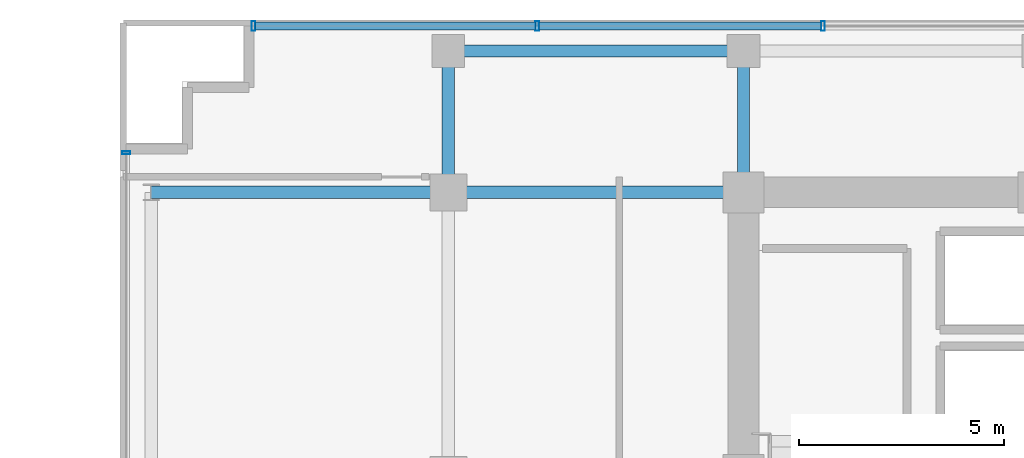
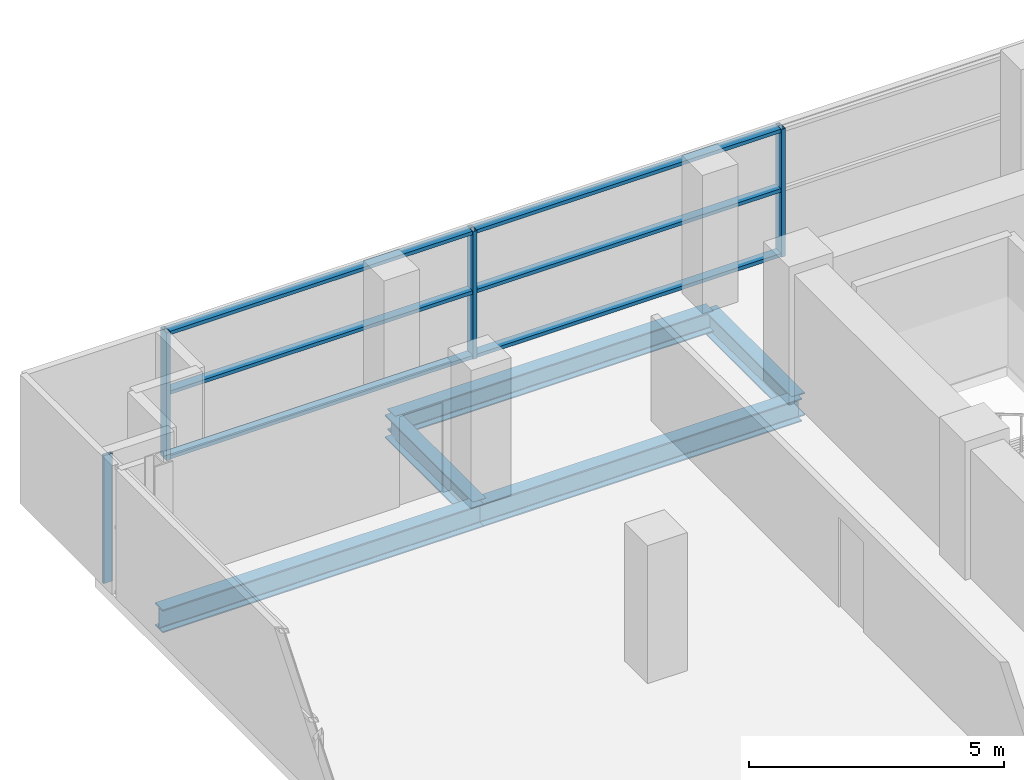
# One storey, part 15 of 27: 10 members, 5 beams, 2 elements without a shape of their own.
"""IFC4 building model written with IfcOpenShell, lengths in metres."""

from ifc_helpers import new_model, si_unit, direction, frame, origin, origin_2d, place, context, subcontext, project, spatial, hollow_rectangle, i_section, extrude, source, transform, mapped, material, layer, layer_set, material_profile, profile_set, type_object, element, aggregate, save


model = new_model("IFC4")

# Units and contexts
model_context = context("Model", 3, precision=1e-05, world=origin(), true_north=direction((0.0, 1.0)))
body_context = subcontext(model_context, "Body", "Model", "MODEL_VIEW")
ifc_project = project(units=[si_unit("LENGTHUNIT", "METRE"), si_unit("AREAUNIT", "SQUARE_METRE"), si_unit("VOLUMEUNIT", "CUBIC_METRE"), si_unit("PLANEANGLEUNIT", "RADIAN"), si_unit("MASSUNIT", "GRAM", prefix="KILO")], contexts=[model_context])

# Site, building, storey
site_placement = place(None, origin())
site = spatial("IfcSite", under=ifc_project, at=site_placement, CompositionType="ELEMENT")
building_placement = place(site_placement, origin())
building = spatial("IfcBuilding", under=site, at=building_placement, Name="Zarnakvel Exchange Tower", CompositionType="ELEMENT")
storey_placement = place(building_placement, frame((0.0, 0.0, 96.699951171875)))
storey = spatial("IfcBuildingStorey", under=building, at=storey_placement, Name="L26", CompositionType="ELEMENT", Elevation=96.699951171875)

# Beams
ifc_material_1 = material(Name="Steel S355", Category="steel")
ifc_material_profile_1 = material_profile(ifc_material_1, i_section(OverallWidth=0.300048828125, OverallDepth=0.550048828125, WebThickness=0.014892578125, FlangeThickness=0.029052734375, FilletRadius=0.027099609375, at=origin_2d()))
ifc_profile_set_1 = profile_set([ifc_material_profile_1], Name="Steel S355")
beam_type_1 = type_object("IfcBeamType", Name="G-05", PredefinedType="BEAM", material=ifc_profile_set_1)
beam_1_placement = place(storey_placement, frame((-28.85009765625, 13.5, -0.5), z_axis=(1.0, 0.0, 0.0), x_axis=(0.0, 1.0, 0.0)))
element("IfcBeam", 1, at=beam_1_placement, inside=storey, type_object=beam_type_1, Name="L26 Tower E-W Frame Beam", PredefinedType="BEAM", context=body_context, shape_type="SweptSolid", body=[
    extrude(i_section(OverallWidth=0.300048828125, OverallDepth=0.550048828125, WebThickness=0.014892578125, FlangeThickness=0.029052734375, FilletRadius=0.027099609375, at=origin_2d()), origin(), (0.0, 0.0, 1.0), 7.25),
])
beam_2_placement = place(storey_placement, frame((-21.60009765625, 13.5, -0.5), z_axis=(1.0, 0.0, 0.0), x_axis=(0.0, 1.0, 0.0)))
element("IfcBeam", 2, at=beam_2_placement, inside=storey, type_object=beam_type_1, Name="L26 Tower E-W Frame Beam", PredefinedType="BEAM", context=body_context, shape_type="SweptSolid", body=[
    extrude(i_section(OverallWidth=0.300048828125, OverallDepth=0.550048828125, WebThickness=0.014892578125, FlangeThickness=0.029052734375, FilletRadius=0.027099609375, at=origin_2d()), origin(), (0.0, 0.0, 1.0), 7.2001953125),
])
for number, where, z_axis, x_axis, name in (
    (3, (-21.60009765625, 13.5, -0.5), (0.0, 1.0, 0.0), (-1.0, 0.0, 0.0), "L26 Tower N-S Frame Beam"),
    (4, (-14.39990234375, 13.5, -0.5), (0.0, 1.0, 0.0), (-1.0, 0.0, 0.0), "L26 Tower N-S Frame Beam"),
):
    element("IfcBeam", number, at=place(storey_placement, frame(where, z_axis=z_axis, x_axis=x_axis)), inside=storey, type_object=beam_type_1, Name=name, PredefinedType="BEAM", context=body_context, shape_type="SweptSolid", body=[
        extrude(i_section(OverallWidth=0.300048828125, OverallDepth=0.550048828125, WebThickness=0.014892578125, FlangeThickness=0.029052734375, FilletRadius=0.027099609375, at=origin_2d()), origin(), (0.0, 0.0, 1.0), 3.449951171875),
    ])
ifc_material_profile_2 = material_profile(ifc_material_1, i_section(OverallWidth=0.300048828125, OverallDepth=0.5, WebThickness=0.014404296875, FlangeThickness=0.028076171875, FilletRadius=0.027099609375, at=origin_2d()))
ifc_profile_set_2 = profile_set([ifc_material_profile_2], Name="Steel S355")
beam_type_2 = type_object("IfcBeamType", Name="SP-02", PredefinedType="SPANDREL", material=ifc_profile_set_2)
beam_3_placement = place(storey_placement, frame((-21.60009765625, 16.949951171875, -0.474853515625), z_axis=(1.0, 0.0, 0.0), x_axis=(0.0, 1.0, 0.0)))
element("IfcBeam", 5, at=beam_3_placement, inside=storey, type_object=beam_type_2, Name="L26 Tower E-W Frame Beam", PredefinedType="SPANDREL", context=body_context, shape_type="SweptSolid", body=[
    extrude(i_section(OverallWidth=0.300048828125, OverallDepth=0.5, WebThickness=0.014404296875, FlangeThickness=0.028076171875, FilletRadius=0.027099609375, at=origin_2d()), origin(), (0.0, 0.0, 1.0), 7.2001953125),
])

# Curtain wall, members
ifc_material_2 = material(Name="Architectural Bronze Anodised Aluminium", Category="aluminium")
ifc_layer_1 = layer(ifc_material_2, 0.239990234375)
ifc_layer_set_1 = layer_set([ifc_layer_1], Name="Architectural Bronze Anodised Aluminium")
curtain_wall_type_1 = type_object("IfcCurtainWallType", Name="CW-02", PredefinedType="NOTDEFINED", material=ifc_layer_set_1)
curtain_wall_1_placement = place(storey_placement, origin())
curtain_wall_1 = element("IfcCurtainWall", 6, at=curtain_wall_1_placement, inside=storey, type_object=curtain_wall_type_1, Name="L26 Curtain Wall CW-L26-N1 (CW-02)", PredefinedType="NOTDEFINED")
ifc_material_profile_3 = material_profile(ifc_material_2, hollow_rectangle(XDim=0.239990234375, YDim=0.090087890625, WallThickness=0.006103515625, at=origin_2d()))
ifc_profile_set_3 = profile_set([ifc_material_profile_3], Name="Architectural Bronze Anodised Aluminium")
member_type_1 = type_object("IfcMemberType", Name="CWM-02", PredefinedType="MULLION", material=ifc_profile_set_3)
shared_shape_1 = source(origin(), body_context, "Body", "SweptSolid", [
    extrude(hollow_rectangle(XDim=0.239990234375, YDim=0.090087890625, WallThickness=0.006103515625, at=origin_2d()), origin(), (0.0, 0.0, 1.0), 3.054931640625),
])
member_1_placement = place(storey_placement, frame((-26.35498046875, 17.56005859375, 0.0), z_axis=(0.0, 0.0, 1.0), x_axis=(0.0, 1.0, 0.0)))
member_1 = element("IfcMember", 7, at=member_1_placement, type_object=member_type_1, Name="CW-02 mullion 1", PredefinedType="MULLION", context=body_context, shape_type="MappedRepresentation", body=[
    mapped(shared_shape_1, transform((0.0, 0.0, 0.0), x_axis=(1.0, 0.0, 0.0), y_axis=(0.0, 1.0, 0.0), z_axis=(0.0, 0.0, 1.0), scale=1.0)),
])
member_2_placement = place(storey_placement, frame((-19.428466796875, 17.56005859375, 0.0), z_axis=(0.0, 0.0, 1.0), x_axis=(0.0, 1.0, 0.0)))
member_2 = element("IfcMember", 8, at=member_2_placement, type_object=member_type_1, Name="CW-02 mullion 2", PredefinedType="MULLION", context=body_context, shape_type="MappedRepresentation", body=[
    mapped(shared_shape_1, transform((0.0, 0.0, 0.0), x_axis=(1.0, 0.0, 0.0), y_axis=(0.0, 1.0, 0.0), z_axis=(0.0, 0.0, 1.0), scale=1.0)),
])
member_3_placement = place(storey_placement, frame((-12.45703125, 17.56005859375, 0.0), z_axis=(0.0, 0.0, 1.0), x_axis=(0.0, 1.0, 0.0)))
member_3 = element("IfcMember", 9, at=member_3_placement, type_object=member_type_1, Name="CW-02 mullion 3", PredefinedType="MULLION", context=body_context, shape_type="MappedRepresentation", body=[
    mapped(shared_shape_1, transform((0.0, 0.0, 0.0), x_axis=(1.0, 0.0, 0.0), y_axis=(0.0, 1.0, 0.0), z_axis=(0.0, 0.0, 1.0), scale=1.0)),
])

# Curtain wall, member
ifc_layer_2 = layer(ifc_material_2, 0.199951171875)
ifc_layer_set_2 = layer_set([ifc_layer_2], Name="Architectural Bronze Anodised Aluminium")
curtain_wall_type_2 = type_object("IfcCurtainWallType", Name="CW-04", PredefinedType="NOTDEFINED", material=ifc_layer_set_2)
curtain_wall_2_placement = place(storey_placement, origin())
curtain_wall_2 = element("IfcCurtainWall", 10, at=curtain_wall_2_placement, inside=storey, type_object=curtain_wall_type_2, Name="L26 Curtain Wall CW-L26-WN (CW-04)", PredefinedType="NOTDEFINED")
ifc_material_profile_4 = material_profile(ifc_material_2, hollow_rectangle(XDim=0.199951171875, YDim=0.074951171875, WallThickness=0.0048828125, at=origin_2d()))
ifc_profile_set_4 = profile_set([ifc_material_profile_4], Name="Architectural Bronze Anodised Aluminium")
member_type_2 = type_object("IfcMemberType", Name="CWM-04", PredefinedType="MULLION", material=ifc_profile_set_4)
shared_shape_2 = source(origin(), body_context, "Body", "SweptSolid", [
    extrude(hollow_rectangle(XDim=0.199951171875, YDim=0.074951171875, WallThickness=0.0048828125, at=origin_2d()), origin(), (0.0, 0.0, 1.0), 3.054931640625),
])
member_4_placement = place(storey_placement, frame((-29.4599609375, 14.46240234375, 0.0), z_axis=(0.0, 0.0, 1.0), x_axis=(-1.0, 0.0, 0.0)))
member_4 = element("IfcMember", 11, at=member_4_placement, type_object=member_type_2, Name="CW-04 mullion 3", PredefinedType="MULLION", context=body_context, shape_type="MappedRepresentation", body=[
    mapped(shared_shape_2, transform((0.0, 0.0, 0.0), x_axis=(1.0, 0.0, 0.0), y_axis=(0.0, 1.0, 0.0), z_axis=(0.0, 0.0, 1.0), scale=1.0)),
])
aggregate(curtain_wall_2, [member_4])

# Member
ifc_material_profile_5 = material_profile(ifc_material_2, hollow_rectangle(XDim=0.199951171875, YDim=0.0849609375, WallThickness=0.0048828125, at=origin_2d()))
ifc_profile_set_5 = profile_set([ifc_material_profile_5], Name="Architectural Bronze Anodised Aluminium")
member_type_3 = type_object("IfcMemberType", Name="CWT-02", PredefinedType="USERDEFINED", material=ifc_profile_set_5)
shared_shape_3 = source(origin(), body_context, "Body", "SweptSolid", [
    extrude(hollow_rectangle(XDim=0.199951171875, YDim=0.0849609375, WallThickness=0.0048828125, at=origin_2d()), origin(), (0.0, 0.0, 1.0), 6.83642578125),
])
member_5_placement = place(storey_placement, frame((-26.31005859375, 17.56005859375, 0.04248046875), z_axis=(1.0, 0.0, 0.0), x_axis=(0.0, 1.0, 0.0)))
member_5 = element("IfcMember", 12, at=member_5_placement, type_object=member_type_3, Name="CW-02 transom 1.1", ObjectType="TRANSOM", PredefinedType="USERDEFINED", context=body_context, shape_type="MappedRepresentation", body=[
    mapped(shared_shape_3, transform((0.0, 0.0, 0.0), x_axis=(1.0, 0.0, 0.0), y_axis=(0.0, 1.0, 0.0), z_axis=(0.0, 0.0, 1.0), scale=1.0)),
])

member_6_placement = place(storey_placement, frame((-26.31005859375, 17.56005859375, 1.588623046875), z_axis=(1.0, 0.0, 0.0), x_axis=(0.0, 1.0, 0.0)))
member_6 = element("IfcMember", 13, at=member_6_placement, type_object=member_type_3, Name="CW-02 transom 1.2", ObjectType="TRANSOM", PredefinedType="USERDEFINED", context=body_context, shape_type="MappedRepresentation", body=[
    mapped(shared_shape_3, transform((0.0, 0.0, 0.0), x_axis=(1.0, 0.0, 0.0), y_axis=(0.0, 1.0, 0.0), z_axis=(0.0, 0.0, 1.0), scale=1.0)),
])

member_7_placement = place(storey_placement, frame((-26.31005859375, 17.56005859375, 3.012451171875), z_axis=(1.0, 0.0, 0.0), x_axis=(0.0, 1.0, 0.0)))
member_7 = element("IfcMember", 14, at=member_7_placement, type_object=member_type_3, Name="CW-02 transom 1.3", ObjectType="TRANSOM", PredefinedType="USERDEFINED", context=body_context, shape_type="MappedRepresentation", body=[
    mapped(shared_shape_3, transform((0.0, 0.0, 0.0), x_axis=(1.0, 0.0, 0.0), y_axis=(0.0, 1.0, 0.0), z_axis=(0.0, 0.0, 1.0), scale=1.0)),
])

shared_shape_4 = source(origin(), body_context, "Body", "SweptSolid", [
    extrude(hollow_rectangle(XDim=0.199951171875, YDim=0.0849609375, WallThickness=0.0048828125, at=origin_2d()), origin(), (0.0, 0.0, 1.0), 6.88134765625),
])
member_8_placement = place(storey_placement, frame((-19.383544921875, 17.56005859375, 0.04248046875), z_axis=(1.0, 0.0, 0.0), x_axis=(0.0, 1.0, 0.0)))
member_8 = element("IfcMember", 15, at=member_8_placement, type_object=member_type_3, Name="CW-02 transom 2.1", ObjectType="TRANSOM", PredefinedType="USERDEFINED", context=body_context, shape_type="MappedRepresentation", body=[
    mapped(shared_shape_4, transform((0.0, 0.0, 0.0), x_axis=(1.0, 0.0, 0.0), y_axis=(0.0, 1.0, 0.0), z_axis=(0.0, 0.0, 1.0), scale=1.0)),
])

member_9_placement = place(storey_placement, frame((-19.383544921875, 17.56005859375, 1.588623046875), z_axis=(1.0, 0.0, 0.0), x_axis=(0.0, 1.0, 0.0)))
member_9 = element("IfcMember", 16, at=member_9_placement, type_object=member_type_3, Name="CW-02 transom 2.2", ObjectType="TRANSOM", PredefinedType="USERDEFINED", context=body_context, shape_type="MappedRepresentation", body=[
    mapped(shared_shape_4, transform((0.0, 0.0, 0.0), x_axis=(1.0, 0.0, 0.0), y_axis=(0.0, 1.0, 0.0), z_axis=(0.0, 0.0, 1.0), scale=1.0)),
])

member_10_placement = place(storey_placement, frame((-19.383544921875, 17.56005859375, 3.012451171875), z_axis=(1.0, 0.0, 0.0), x_axis=(0.0, 1.0, 0.0)))
member_10 = element("IfcMember", 17, at=member_10_placement, type_object=member_type_3, Name="CW-02 transom 2.3", ObjectType="TRANSOM", PredefinedType="USERDEFINED", context=body_context, shape_type="MappedRepresentation", body=[
    mapped(shared_shape_4, transform((0.0, 0.0, 0.0), x_axis=(1.0, 0.0, 0.0), y_axis=(0.0, 1.0, 0.0), z_axis=(0.0, 0.0, 1.0), scale=1.0)),
])

aggregate(curtain_wall_1, [member_1, member_2, member_3, member_5, member_6, member_7, member_8, member_9, member_10])

save(model, "model.ifc")
